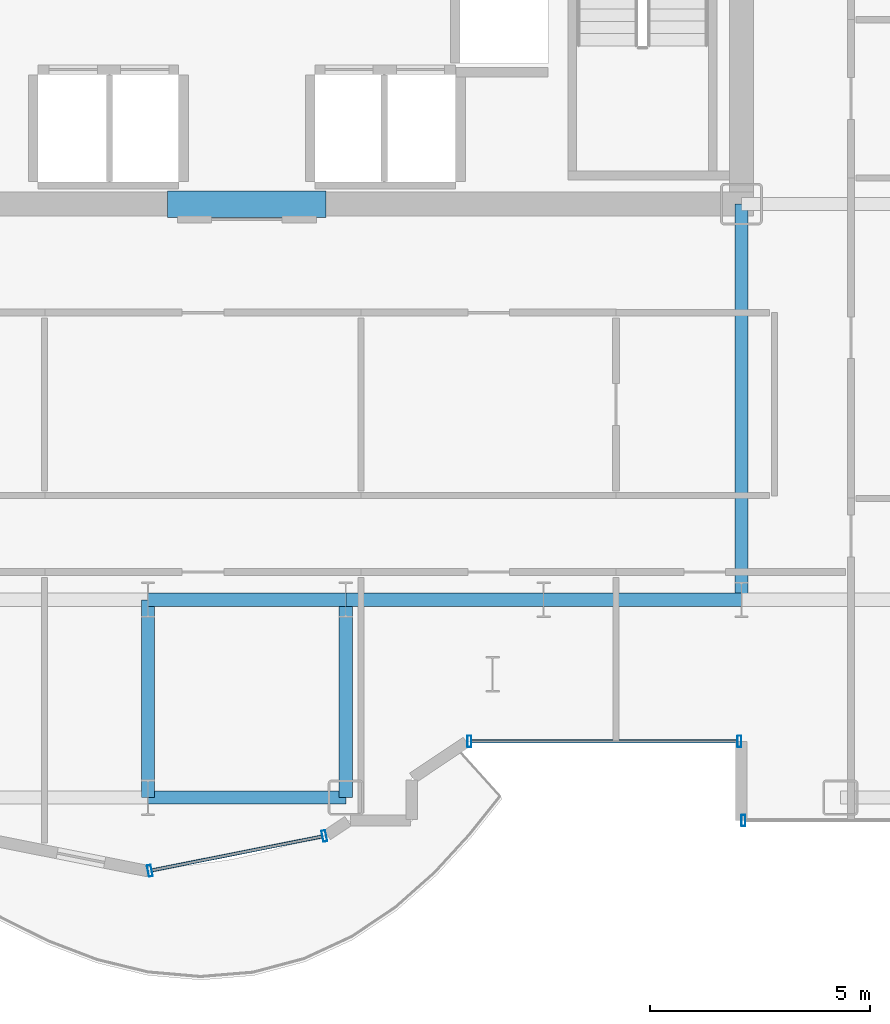
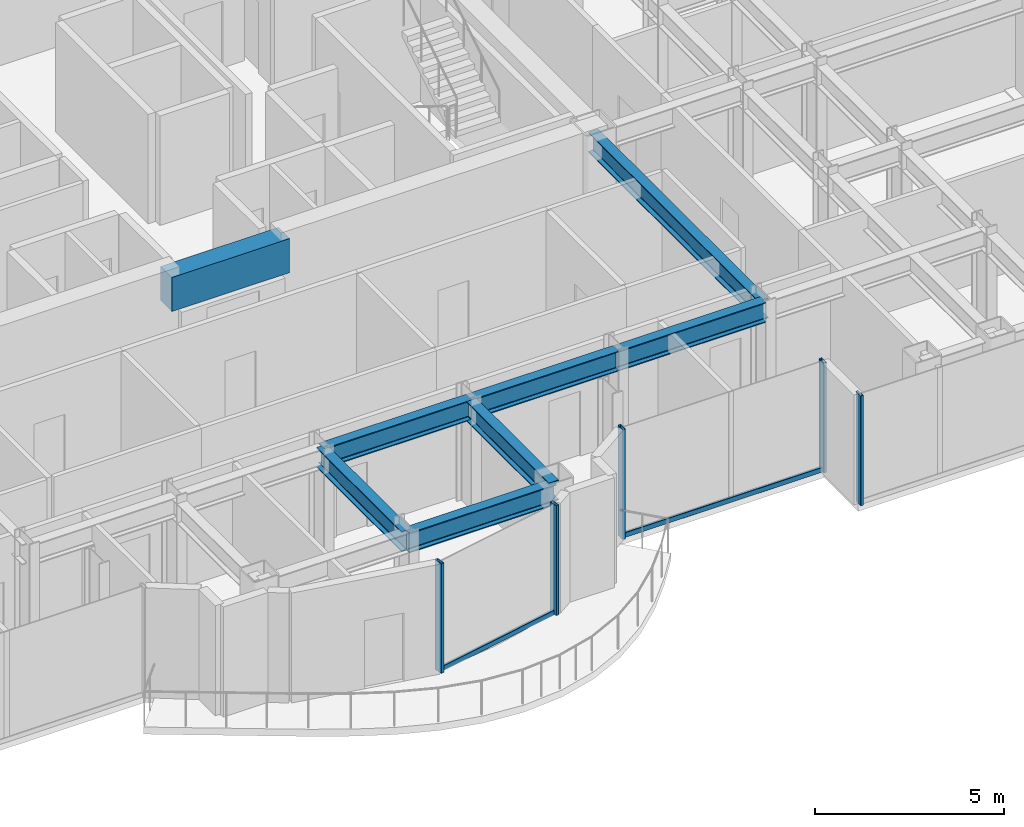
# One storey, part 9 of 27: 8 beams, 7 members, 3 elements without a shape of their own.
"""IFC4 building model written with IfcOpenShell, lengths in metres."""

from ifc_helpers import new_model, si_unit, direction, frame, origin, origin_2d, place, context, subcontext, project, spatial, rectangle, hollow_rectangle, i_section, extrude, source, transform, mapped, material, layer, layer_set, material_profile, profile_set, type_object, element, aggregate, save


model = new_model("IFC4")

# Units and contexts
model_context = context("Model", 3, precision=1e-05, world=origin(), true_north=direction((0.0, 1.0)))
body_context = subcontext(model_context, "Body", "Model", "MODEL_VIEW")
ifc_project = project(units=[si_unit("LENGTHUNIT", "METRE"), si_unit("AREAUNIT", "SQUARE_METRE"), si_unit("VOLUMEUNIT", "CUBIC_METRE"), si_unit("PLANEANGLEUNIT", "RADIAN"), si_unit("MASSUNIT", "GRAM", prefix="KILO")], contexts=[model_context])

# Site, building, storey
site_placement = place(None, origin())
site = spatial("IfcSite", under=ifc_project, at=site_placement, CompositionType="ELEMENT")
building_placement = place(site_placement, origin())
building = spatial("IfcBuilding", under=site, at=building_placement, Name="Nefas-Gora Pilgrimage Tower", CompositionType="ELEMENT")
storey_placement = place(building_placement, frame((0.0, 0.0, 148.800048828125)))
storey = spatial("IfcBuildingStorey", under=building, at=storey_placement, Name="L36", CompositionType="ELEMENT", Elevation=148.800048828125)

# Beams
ifc_material_1 = material(Name="Concrete C60/75", Category="concrete")
ifc_material_profile_1 = material_profile(ifc_material_1, rectangle(XDim=0.60009765625, YDim=1.10009765625, at=origin_2d()), Name="RC 600x1100")
ifc_profile_set_1 = profile_set([ifc_material_profile_1], Name="Concrete C60/75")
beam_type_1 = type_object("IfcBeamType", Name="BM-LIN-RC1100", PredefinedType="LINTEL", material=ifc_profile_set_1)
shared_shape_1 = source(origin(), body_context, "Body", "SweptSolid", [
    extrude(rectangle(XDim=0.60009765625, YDim=1.10009765625, at=origin_2d()), origin(), (0.0, 0.0, 1.0), 3.60009765625),
])
beam_1_placement = place(storey_placement, frame((-1.800048828125, -9.0, 3.0), z_axis=(1.0, 0.0, 0.0), x_axis=(0.0, 1.0, 0.0)))
element("IfcBeam", 1, at=beam_1_placement, inside=storey, type_object=beam_type_1, Name="L36 Core Coupling Lintel Beam S", PredefinedType="LINTEL", context=body_context, shape_type="MappedRepresentation", body=[
    mapped(shared_shape_1, transform((0.0, 0.0, 0.0), x_axis=(1.0, 0.0, 0.0), y_axis=(0.0, 1.0, 0.0), z_axis=(0.0, 0.0, 1.0), scale=1.0)),
])
ifc_material_2 = material(Name="Steel S355", Category="steel")
ifc_material_profile_2 = material_profile(ifc_material_2, i_section(OverallWidth=0.300048828125, OverallDepth=0.64990234375, WebThickness=0.01611328125, FlangeThickness=0.031005859375, FilletRadius=0.027099609375, at=origin_2d()), Name="HEB 650")
ifc_profile_set_2 = profile_set([ifc_material_profile_2], Name="Steel S355")
beam_type_2 = type_object("IfcBeamType", Name="BM-GIR-HEB650", PredefinedType="BEAM", material=ifc_profile_set_2)
shared_shape_2 = source(origin(), body_context, "Body", "SweptSolid", [
    extrude(i_section(OverallWidth=0.300048828125, OverallDepth=0.64990234375, WebThickness=0.01611328125, FlangeThickness=0.031005859375, FilletRadius=0.027099609375, at=origin_2d()), origin(), (0.0, 0.0, 1.0), 9.0),
])
beam_2_placement = place(storey_placement, frame((11.25, -18.0, 3.224853515625), z_axis=(0.0, 1.0, 0.0), x_axis=(-1.0, 0.0, 0.0)))
element("IfcBeam", 2, at=beam_2_placement, inside=storey, type_object=beam_type_2, Name="L36 G-03 beam", PredefinedType="BEAM", context=body_context, shape_type="MappedRepresentation", body=[
    mapped(shared_shape_2, transform((0.0, 0.0, 0.0), x_axis=(1.0, 0.0, 0.0), y_axis=(0.0, 1.0, 0.0), z_axis=(0.0, 0.0, 1.0), scale=1.0)),
])
shared_shape_3 = source(origin(), body_context, "Body", "SweptSolid", [
    extrude(i_section(OverallWidth=0.300048828125, OverallDepth=0.64990234375, WebThickness=0.01611328125, FlangeThickness=0.031005859375, FilletRadius=0.027099609375, at=origin_2d()), origin(), (0.0, 0.0, 1.0), 4.5),
])
for number, where, z_axis, x_axis, name in (
    (3, (-2.25, -22.5, 3.224853515625), (0.0, 1.0, 0.0), (-1.0, 0.0, 0.0), "L36 G-03 beam"),
    (4, (-2.25, -22.5, 3.224853515625), (1.0, 0.0, 0.0), (0.0, 1.0, 0.0), "L36 G-03 beam"),
    (5, (-2.25, -18.0, 3.224853515625), (1.0, 0.0, 0.0), (0.0, 1.0, 0.0), "L36 G-03 beam"),
    (6, (2.25, -22.5, 3.224853515625), (0.0, 1.0, 0.0), (-1.0, 0.0, 0.0), "L36 G-03 beam"),
    (7, (2.25, -18.0, 3.224853515625), (1.0, 0.0, 0.0), (0.0, 1.0, 0.0), "L36 G-03 beam"),
    (8, (6.75, -18.0, 3.224853515625), (1.0, 0.0, 0.0), (0.0, 1.0, 0.0), "L36 G-03 beam"),
):
    element("IfcBeam", number, at=place(storey_placement, frame(where, z_axis=z_axis, x_axis=x_axis)), inside=storey, type_object=beam_type_2, Name=name, PredefinedType="BEAM", context=body_context, shape_type="MappedRepresentation", body=[
        mapped(shared_shape_3, transform((0.0, 0.0, 0.0), x_axis=(1.0, 0.0, 0.0), y_axis=(0.0, 1.0, 0.0), z_axis=(0.0, 0.0, 1.0), scale=1.0)),
    ])

# Curtain wall, members
ifc_material_3 = material(Name="Dark ceramic-fritted solar-control aluminium-glass curtain wall", Category="aluminium")
ifc_layer_1 = layer(ifc_material_3, 0.219970703125)
ifc_layer_set_1 = layer_set([ifc_layer_1], Name="Dark ceramic-fritted solar-control aluminium-glass curtain wall")
curtain_wall_type_1 = type_object("IfcCurtainWallType", Name="CW-SYS-5", PredefinedType="NOTDEFINED", material=ifc_layer_set_1)
curtain_wall_1_placement = place(storey_placement, origin())
curtain_wall_1 = element("IfcCurtainWall", 9, at=curtain_wall_1_placement, inside=storey, type_object=curtain_wall_type_1, Name="L36 Unitised Curtain Wall CW5", PredefinedType="NOTDEFINED")
ifc_material_4 = material(Name="Anodised architectural aluminium", Category="aluminium")
ifc_material_profile_3 = material_profile(ifc_material_4, hollow_rectangle(XDim=0.090087890625, YDim=0.260009765625, WallThickness=0.006103515625, InnerFilletRadius=0.006103515625, OuterFilletRadius=0.011962890625, at=origin_2d()), Name="ALU MULLION 90x260")
ifc_profile_set_3 = profile_set([ifc_material_profile_3], Name="Anodised architectural aluminium")
member_type_1 = type_object("IfcMemberType", Name="CWM-MUL-5", PredefinedType="MULLION", material=ifc_profile_set_3)
shared_shape_4 = source(origin(), body_context, "Body", "SweptSolid", [
    extrude(hollow_rectangle(XDim=0.090087890625, YDim=0.260009765625, WallThickness=0.006103515625, InnerFilletRadius=0.006103515625, OuterFilletRadius=0.011962890625, at=origin_2d()), origin(), (0.0, 0.0, 1.0), 3.550048828125),
])
member_1_placement = place(storey_placement, frame((5.06298828125, -21.219970703125, 0.0), z_axis=(0.0, 0.0, 1.0), x_axis=(1.0, 0.0, 0.0)))
member_1 = element("IfcMember", 10, at=member_1_placement, type_object=member_type_1, Name="CW5 Mullion 1", PredefinedType="MULLION", context=body_context, shape_type="MappedRepresentation", body=[
    mapped(shared_shape_4, transform((0.0, 0.0, 0.0), x_axis=(1.0, 0.0, 0.0), y_axis=(0.0, 1.0, 0.0), z_axis=(0.0, 0.0, 1.0), scale=1.0)),
])
member_2_placement = place(storey_placement, frame((11.205078125, -21.219970703125, 0.0), z_axis=(0.0, 0.0, 1.0), x_axis=(1.0, 0.0, 0.0)))
member_2 = element("IfcMember", 11, at=member_2_placement, type_object=member_type_1, Name="CW5 Mullion 2", PredefinedType="MULLION", context=body_context, shape_type="MappedRepresentation", body=[
    mapped(shared_shape_4, transform((0.0, 0.0, 0.0), x_axis=(1.0, 0.0, 0.0), y_axis=(0.0, 1.0, 0.0), z_axis=(0.0, 0.0, 1.0), scale=1.0)),
])

curtain_wall_2_placement = place(storey_placement, origin())
curtain_wall_2 = element("IfcCurtainWall", 12, at=curtain_wall_2_placement, inside=storey, type_object=curtain_wall_type_1, Name="L36 Unitised Curtain Wall CW5", PredefinedType="NOTDEFINED")
member_3_placement = place(storey_placement, frame((-2.205810546875, -24.16357421875, 0.0), z_axis=(0.0, 0.0, 1.0), x_axis=(0.980782896852, 0.195102304554, 0.0)))
member_3 = element("IfcMember", 13, at=member_3_placement, type_object=member_type_1, Name="CW5 Mullion 1", PredefinedType="MULLION", context=body_context, shape_type="MappedRepresentation", body=[
    mapped(shared_shape_4, transform((0.0, 0.0, 0.0), x_axis=(1.0, 0.0, 0.0), y_axis=(0.0, 1.0, 0.0), z_axis=(0.0, 0.0, 1.0), scale=1.0)),
])
member_4_placement = place(storey_placement, frame((1.76318359375, -23.3740234375, 0.0), z_axis=(0.0, 0.0, 1.0), x_axis=(0.980782896852, 0.195102304554, 0.0)))
member_4 = element("IfcMember", 14, at=member_4_placement, type_object=member_type_1, Name="CW5 Mullion 2", PredefinedType="MULLION", context=body_context, shape_type="MappedRepresentation", body=[
    mapped(shared_shape_4, transform((0.0, 0.0, 0.0), x_axis=(1.0, 0.0, 0.0), y_axis=(0.0, 1.0, 0.0), z_axis=(0.0, 0.0, 1.0), scale=1.0)),
])

# Member
ifc_material_profile_4 = material_profile(ifc_material_4, hollow_rectangle(XDim=0.080078125, YDim=0.159912109375, WallThickness=0.00439453125, InnerFilletRadius=0.00439453125, OuterFilletRadius=0.009033203125, at=origin_2d()), Name="ALU TRANSOM 80x160")
ifc_profile_set_4 = profile_set([ifc_material_profile_4], Name="Anodised architectural aluminium")
member_type_2 = type_object("IfcMemberType", Name="CWM-TRN-5", PredefinedType="USERDEFINED", material=ifc_profile_set_4)
shared_shape_5 = source(origin(), body_context, "Body", "SweptSolid", [
    extrude(hollow_rectangle(XDim=0.080078125, YDim=0.159912109375, WallThickness=0.00439453125, InnerFilletRadius=0.00439453125, OuterFilletRadius=0.009033203125, at=origin_2d()), origin(), (0.0, 0.0, 1.0), 6.052001953125),
])
member_5_placement = place(storey_placement, frame((5.10791015625, -21.219970703125, 0.050048828125), z_axis=(1.0, 0.0, 0.0), x_axis=(0.0, 1.0, 0.0)))
member_5 = element("IfcMember", 15, at=member_5_placement, type_object=member_type_2, Name="CW5 Spandrel Transom", ObjectType="TRANSOM", PredefinedType="USERDEFINED", context=body_context, shape_type="MappedRepresentation", body=[
    mapped(shared_shape_5, transform((0.0, 0.0, 0.0), x_axis=(1.0, 0.0, 0.0), y_axis=(0.0, 1.0, 0.0), z_axis=(0.0, 0.0, 1.0), scale=1.0)),
])

aggregate(curtain_wall_1, [member_1, member_2, member_5])

shared_shape_6 = source(origin(), body_context, "Body", "SweptSolid", [
    extrude(hollow_rectangle(XDim=0.080078125, YDim=0.159912109375, WallThickness=0.00439453125, InnerFilletRadius=0.00439453125, OuterFilletRadius=0.009033203125, at=origin_2d()), origin(), (0.0, 0.0, 1.0), 3.95654296875),
])
member_6_placement = place(storey_placement, frame((-2.16162109375, -24.15478515625, 0.050048828125), z_axis=(0.980781880918, 0.195107411605, 0.0), x_axis=(-0.195107411605, 0.980781880918, 0.0)))
member_6 = element("IfcMember", 16, at=member_6_placement, type_object=member_type_2, Name="CW5 Spandrel Transom", ObjectType="TRANSOM", PredefinedType="USERDEFINED", context=body_context, shape_type="MappedRepresentation", body=[
    mapped(shared_shape_6, transform((0.0, 0.0, 0.0), x_axis=(1.0, 0.0, 0.0), y_axis=(0.0, 1.0, 0.0), z_axis=(0.0, 0.0, 1.0), scale=1.0)),
])

aggregate(curtain_wall_2, [member_3, member_4, member_6])

# Curtain wall, member
ifc_layer_2 = layer(ifc_material_3, 0.219970703125)
ifc_layer_set_2 = layer_set([ifc_layer_2], Name="Dark ceramic-fritted solar-control aluminium-glass curtain wall")
curtain_wall_type_2 = type_object("IfcCurtainWallType", Name="CW-SYS-3", PredefinedType="NOTDEFINED", material=ifc_layer_set_2)
curtain_wall_3_placement = place(storey_placement, origin())
curtain_wall_3 = element("IfcCurtainWall", 17, at=curtain_wall_3_placement, inside=storey, type_object=curtain_wall_type_2, Name="L36 Unitised Curtain Wall CW3", PredefinedType="NOTDEFINED")
ifc_material_profile_5 = material_profile(ifc_material_4, hollow_rectangle(XDim=0.090087890625, YDim=0.260009765625, WallThickness=0.006103515625, InnerFilletRadius=0.006103515625, OuterFilletRadius=0.011962890625, at=origin_2d()), Name="ALU MULLION 90x260")
ifc_profile_set_5 = profile_set([ifc_material_profile_5], Name="Anodised architectural aluminium")
member_type_3 = type_object("IfcMemberType", Name="CWM-MUL-3", PredefinedType="MULLION", material=ifc_profile_set_5)
shared_shape_7 = source(origin(), body_context, "Body", "SweptSolid", [
    extrude(hollow_rectangle(XDim=0.090087890625, YDim=0.260009765625, WallThickness=0.006103515625, InnerFilletRadius=0.006103515625, OuterFilletRadius=0.011962890625, at=origin_2d()), origin(), (0.0, 0.0, 1.0), 3.550048828125),
])
member_7_placement = place(storey_placement, frame((11.294921875, -23.02001953125, 0.0), z_axis=(0.0, 0.0, 1.0), x_axis=(1.0, 0.0, 0.0)))
member_7 = element("IfcMember", 18, at=member_7_placement, type_object=member_type_3, Name="CW3 Mullion 1", PredefinedType="MULLION", context=body_context, shape_type="MappedRepresentation", body=[
    mapped(shared_shape_7, transform((0.0, 0.0, 0.0), x_axis=(1.0, 0.0, 0.0), y_axis=(0.0, 1.0, 0.0), z_axis=(0.0, 0.0, 1.0), scale=1.0)),
])
aggregate(curtain_wall_3, [member_7])

save(model, "model.ifc")
